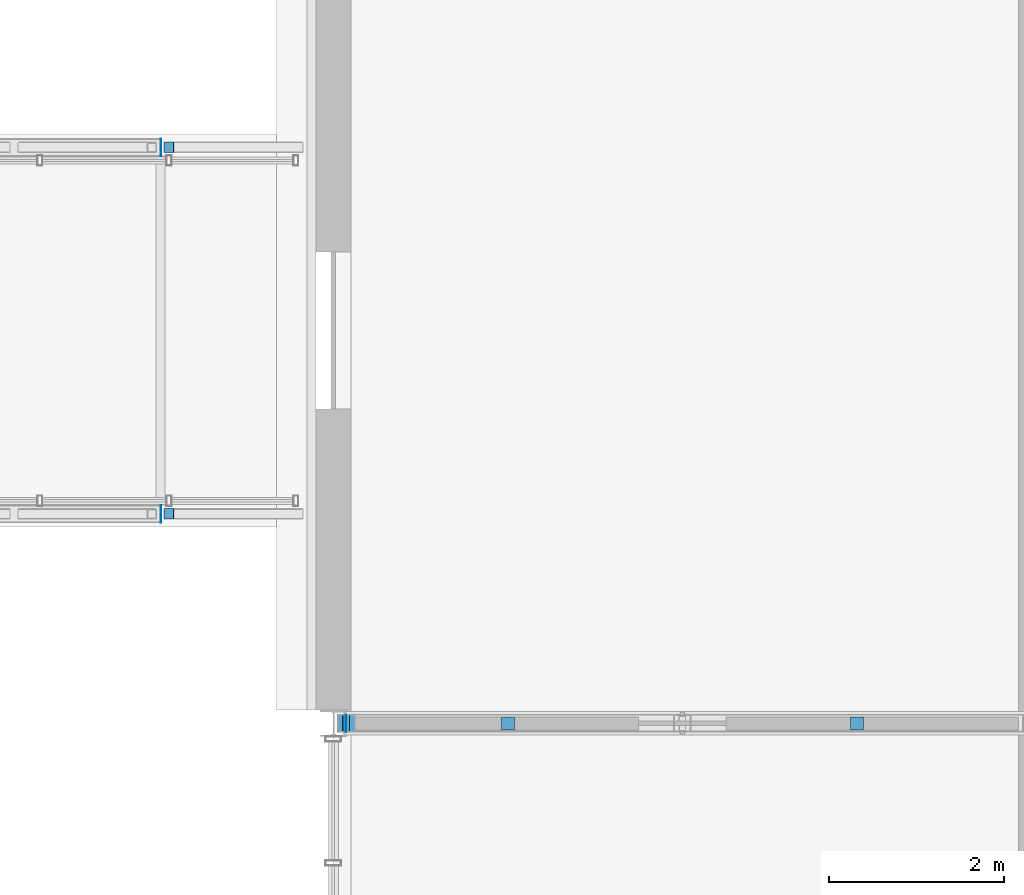
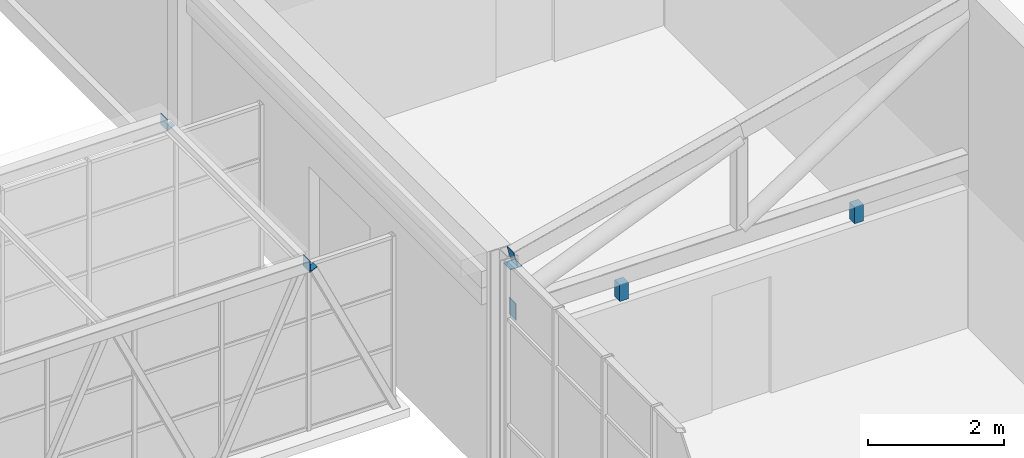
# One storey, part 123 of 149: 9 discrete accessories.
"""IFC4 building model written with IfcOpenShell, lengths in metres."""

from ifc_helpers import new_model, si_unit, direction, frame, origin, origin_2d, place, context, subcontext, project, spatial, rectangle, extrude, material, material_profile, profile_set, type_object, element, save


model = new_model("IFC4")

# Units and contexts
model_context = context("Model", 3, precision=1e-05, world=origin(), true_north=direction((0.0, 1.0)))
body_context = subcontext(model_context, "Body", "Model", "MODEL_VIEW")
ifc_project = project(units=[si_unit("LENGTHUNIT", "METRE"), si_unit("AREAUNIT", "SQUARE_METRE"), si_unit("VOLUMEUNIT", "CUBIC_METRE"), si_unit("PLANEANGLEUNIT", "RADIAN"), si_unit("MASSUNIT", "GRAM", prefix="KILO")], contexts=[model_context])

# Site, building, storey
site_placement = place(None, origin())
site = spatial("IfcSite", under=ifc_project, at=site_placement, CompositionType="ELEMENT")
building_placement = place(site_placement, origin())
building = spatial("IfcBuilding", under=site, at=building_placement, Name="Kallimachos Central Library", CompositionType="ELEMENT")
storey_placement = place(building_placement, frame((0.0, 0.0, 9.89990234375)))
storey = spatial("IfcBuildingStorey", under=building, at=storey_placement, Name="L02", CompositionType="ELEMENT", Elevation=9.89990234375)

# Discrete accessories
ifc_material_1 = material(Name="Steel S355J2", Category="steel")
ifc_material_profile_1 = material_profile(ifc_material_1, rectangle(XDim=0.1201171875, YDim=0.1201171875, at=origin_2d()), Name="End cap plate 10, 120x120")
ifc_profile_set_1 = profile_set([ifc_material_profile_1], Name="Steel S355J2")
discrete_accessory_type_1 = type_object("IfcDiscreteAccessoryType", Name="End cap plate 10, 120x120", PredefinedType="BRACKET", material=ifc_profile_set_1)
for number, where, z_axis, x_axis, name in (
    (1, (136.115966796875, 98.39990234375, 3.009033203125), (0.437465718849, 0.0, -0.899235088746), (0.0, 1.0, 0.0), "End cap plate"),
    (2, (136.115966796875, 102.60009765625, 3.009033203125), (0.437465718849, 0.0, -0.899235088746), (0.0, 1.0, 0.0), "End cap plate"),
):
    element("IfcDiscreteAccessory", number, at=place(storey_placement, frame(where, z_axis=z_axis, x_axis=x_axis)), inside=storey, type_object=discrete_accessory_type_1, Name=name, PredefinedType="BRACKET", context=body_context, shape_type="SweptSolid", body=[
        extrude(rectangle(XDim=0.1201171875, YDim=0.1201171875, at=origin_2d()), origin(), (0.0, 0.0, 1.0), 0.010009765625),
    ])
ifc_material_2 = material(Name="Steel S355J2", Category="steel")
ifc_material_profile_2 = material_profile(ifc_material_2, rectangle(XDim=0.199951171875, YDim=0.199951171875, at=origin_2d()), Name="End cap plate 10, 200x200")
ifc_profile_set_2 = profile_set([ifc_material_profile_2], Name="Steel S355J2")
discrete_accessory_type_2 = type_object("IfcDiscreteAccessoryType", Name="End cap plate 10, 200x200", PredefinedType="BRACKET", material=ifc_profile_set_2)
for number, where, z_axis, x_axis, name in (
    (3, (138.14990234375, 96.0, 3.78759765625), (0.0, 0.0, 1.0), (1.0, 0.0, 0.0), "End cap plate"),
    (4, (136.020263671875, 98.39990234375, 3.10009765625), (1.0, 0.0, 0.0), (0.0, 1.0, 0.0), "End cap plate"),
    (5, (136.020263671875, 102.60009765625, 3.10009765625), (1.0, 0.0, 0.0), (0.0, 1.0, 0.0), "End cap plate"),
):
    element("IfcDiscreteAccessory", number, at=place(storey_placement, frame(where, z_axis=z_axis, x_axis=x_axis)), inside=storey, type_object=discrete_accessory_type_2, Name=name, PredefinedType="BRACKET", context=body_context, shape_type="SweptSolid", body=[
        extrude(rectangle(XDim=0.199951171875, YDim=0.199951171875, at=origin_2d()), origin(), (0.0, 0.0, 1.0), 0.010009765625),
    ])
ifc_material_3 = material(Name="Steel S355J2", Category="steel")
ifc_material_profile_3 = material_profile(ifc_material_3, rectangle(XDim=0.199951171875, YDim=0.300048828125, at=origin_2d()), Name="End cap plate 10, 200x300")
ifc_profile_set_3 = profile_set([ifc_material_profile_3], Name="Steel S355J2")
discrete_accessory_type_3 = type_object("IfcDiscreteAccessoryType", Name="End cap plate 10, 200x300", PredefinedType="BRACKET", material=ifc_profile_set_3)
discrete_accessory_1_placement = place(storey_placement, frame((138.139892578125, 96.0, 3.0), z_axis=(1.0, 0.0, 0.0), x_axis=(0.0, 1.0, 0.0)))
element("IfcDiscreteAccessory", 6, at=discrete_accessory_1_placement, inside=storey, type_object=discrete_accessory_type_3, Name="End cap plate", PredefinedType="BRACKET", context=body_context, shape_type="SweptSolid", body=[
    extrude(rectangle(XDim=0.199951171875, YDim=0.300048828125, at=origin_2d()), origin(), (0.0, 0.0, 1.0), 0.010009765625),
])
discrete_accessory_2_placement = place(storey_placement, frame((138.140380859375, 96.0, 3.93505859375), z_axis=(0.968663866044, 0.0, 0.248375350268), x_axis=(0.0, 1.0, 0.0)))
element("IfcDiscreteAccessory", 7, at=discrete_accessory_2_placement, inside=storey, type_object=discrete_accessory_type_3, Name="End cap plate", PredefinedType="BRACKET", context=body_context, shape_type="SweptSolid", body=[
    extrude(rectangle(XDim=0.199951171875, YDim=0.300048828125, at=origin_2d()), origin(), (0.0, 0.0, 1.0), 0.009765625),
])
ifc_material_4 = material(Name="Steel S355J2", Category="steel")
discrete_accessory_type_4 = type_object("IfcDiscreteAccessoryType", Name="Hanger bracket", PredefinedType="BRACKET", material=ifc_material_4)
for number, where, z_axis, x_axis, name in (
    (8, (140.0, 96.0, 2.55029296875), (0.0, 0.0, 1.0), (1.0, 0.0, 0.0), "Ceiling hanger bracket"),
    (9, (144.0, 96.0, 2.55029296875), (0.0, 0.0, 1.0), (1.0, 0.0, 0.0), "Ceiling hanger bracket"),
):
    element("IfcDiscreteAccessory", number, at=place(storey_placement, frame(where, z_axis=z_axis, x_axis=x_axis)), inside=storey, type_object=discrete_accessory_type_4, Name=name, PredefinedType="BRACKET", context=body_context, shape_type="SweptSolid", body=[
        extrude(rectangle(XDim=0.14990234375, YDim=0.14990234375, at=origin_2d()), origin(), (0.0, 0.0, 1.0), 0.300048828125),
    ])

save(model, "model.ifc")
